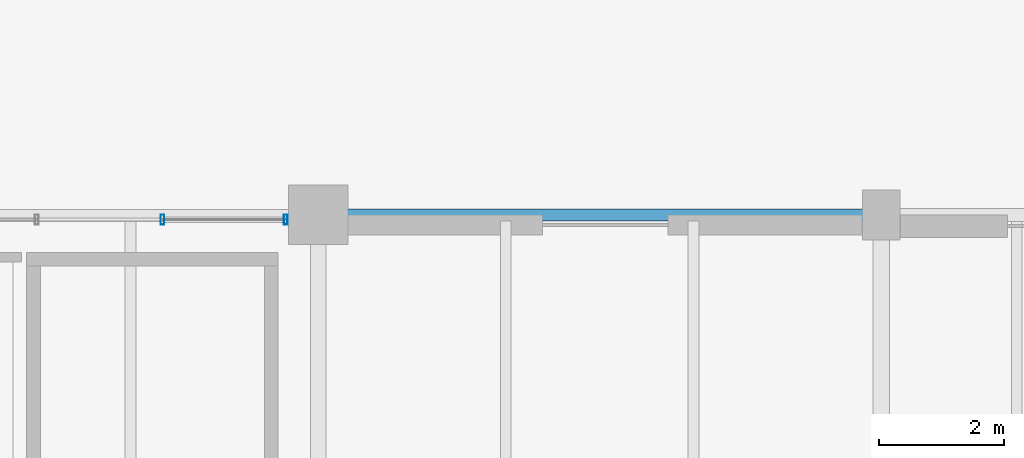
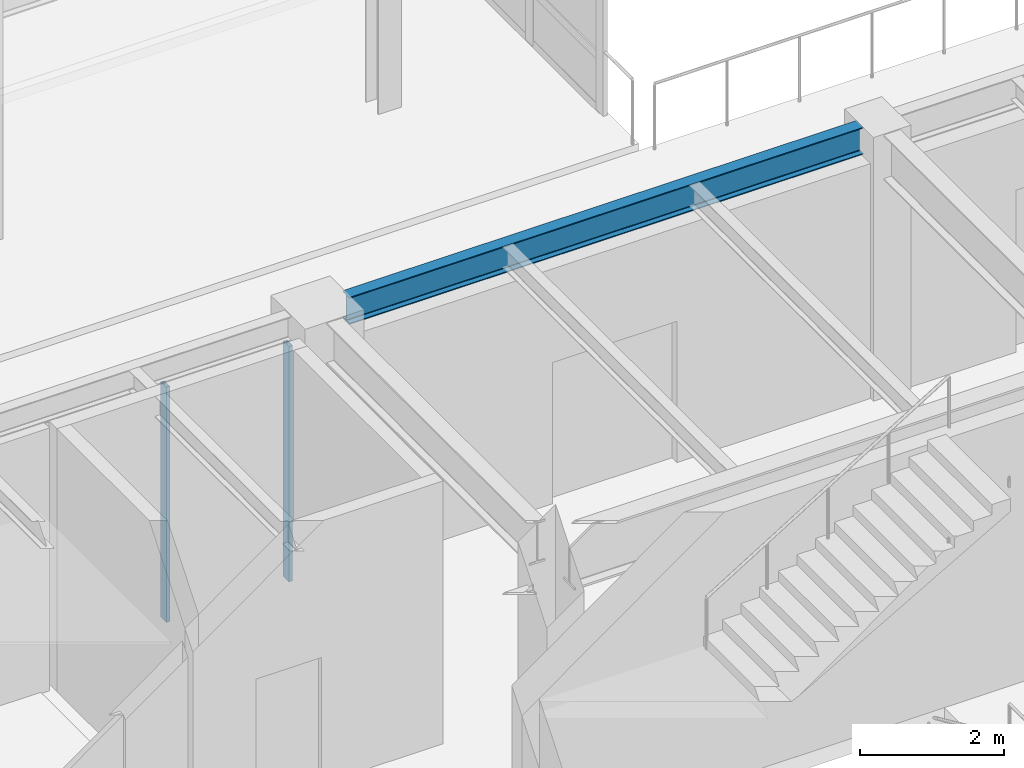
# One storey, part 84 of 200: 2 members, 1 beam, 1 element without a shape of its own.
"""IFC4 building model written with IfcOpenShell, lengths in metres."""

from ifc_helpers import new_model, si_unit, direction, frame, origin, origin_2d, place, context, subcontext, project, spatial, hollow_rectangle, i_section, extrude, material, material_profile, profile_set, type_object, element, aggregate, save


model = new_model("IFC4")

# Units and contexts
model_context = context("Model", 3, precision=1e-05, world=origin(), true_north=direction((0.0, 1.0)))
body_context = subcontext(model_context, "Body", "Model", "MODEL_VIEW")
ifc_project = project(units=[si_unit("LENGTHUNIT", "METRE"), si_unit("AREAUNIT", "SQUARE_METRE"), si_unit("VOLUMEUNIT", "CUBIC_METRE"), si_unit("PLANEANGLEUNIT", "RADIAN"), si_unit("MASSUNIT", "GRAM", prefix="KILO"), si_unit("THERMODYNAMICTEMPERATUREUNIT", "KELVIN"), si_unit("POWERUNIT", "WATT")], contexts=[model_context])

# Site, building, storey
site_placement = place(None, origin())
site = spatial("IfcSite", under=ifc_project, at=site_placement, CompositionType="ELEMENT")
building_placement = place(site_placement, origin())
building = spatial("IfcBuilding", under=site, at=building_placement, Name="Tepalcoro Natatorium and Aquatics Centre", CompositionType="ELEMENT")
storey_placement = place(building_placement, frame((0.0, 0.0, 5.39990234375)))
storey = spatial("IfcBuildingStorey", under=building, at=storey_placement, Name="L01", CompositionType="ELEMENT", Elevation=5.39990234375)

# Curtain wall, members
ifc_material_1 = material(Name="Bronze-Anodised Extruded Aluminium Alloy EN AW-6063 T6", Category="aluminium")
curtain_wall_type = type_object("IfcCurtainWallType", Name="CW_V4_VILLAGE", PredefinedType="USERDEFINED", material=ifc_material_1)
curtain_wall_placement = place(storey_placement, origin())
curtain_wall = element("IfcCurtainWall", 1, at=curtain_wall_placement, inside=storey, type_object=curtain_wall_type, Name="V1 L01 N Unitised Curtain Wall Bay 8", ObjectType="UNITISED STOREFRONT", PredefinedType="USERDEFINED")
ifc_material_profile_1 = material_profile(ifc_material_1, hollow_rectangle(XDim=0.06005859375, YDim=0.159912109375, WallThickness=0.00390625, at=origin_2d()), Name="AL60X160X4")
ifc_profile_set_1 = profile_set([ifc_material_profile_1], Name="Bronze-Anodised Extruded Aluminium Alloy EN AW-6063 T6")
member_type = type_object("IfcMemberType", Name="CW_MUL_60x160", PredefinedType="MULLION", material=ifc_profile_set_1)
member_1_placement = place(storey_placement, frame((113.510009765625, 65.423828125, 0.02001953125), z_axis=(0.0, 0.0, 1.0), x_axis=(1.0, 0.0, 0.0)))
member_1 = element("IfcMember", 2, at=member_1_placement, type_object=member_type, Name="CW_V4_VILLAGE Curtain Wall Mullion", PredefinedType="MULLION", context=body_context, shape_type="SweptSolid", body=[
    extrude(hollow_rectangle(XDim=0.06005859375, YDim=0.159912109375, WallThickness=0.00390625, at=origin_2d()), origin(), (0.0, 0.0, 1.0), 3.9970703125),
])
member_2_placement = place(storey_placement, frame((115.47998046875, 65.423828125, 0.02001953125), z_axis=(0.0, 0.0, 1.0), x_axis=(1.0, 0.0, 0.0)))
member_2 = element("IfcMember", 3, at=member_2_placement, type_object=member_type, Name="CW_V4_VILLAGE Curtain Wall Mullion", PredefinedType="MULLION", context=body_context, shape_type="SweptSolid", body=[
    extrude(hollow_rectangle(XDim=0.06005859375, YDim=0.159912109375, WallThickness=0.00390625, at=origin_2d()), origin(), (0.0, 0.0, 1.0), 3.9970703125),
])
aggregate(curtain_wall, [member_1, member_2])

# Beam
ifc_material_2 = material(Name="Steel ASTM A992 Grade 50 (Fy 345 MPa)", Category="steel")
ifc_material_profile_2 = material_profile(ifc_material_2, i_section(OverallWidth=0.19091796875, OverallDepth=0.4599609375, WebThickness=0.010009765625, FlangeThickness=0.01611328125, FilletRadius=0.013916015625, at=origin_2d()), Name="W18X55")
ifc_profile_set_2 = profile_set([ifc_material_profile_2], Name="Steel ASTM A992 Grade 50 (Fy 345 MPa)")
beam_type = type_object("IfcBeamType", Name="SP_W18x55", PredefinedType="SPANDREL", material=ifc_profile_set_2)
beam_placement = place(storey_placement, frame((116.4599609375, 65.5, 4.235107421875), z_axis=(1.0, 0.0, 0.0), x_axis=(0.0, 1.0, 0.0)))
element("IfcBeam", 4, at=beam_placement, inside=storey, type_object=beam_type, Name="V1 L01 Grid Girder X", PredefinedType="SPANDREL", context=body_context, shape_type="SweptSolid", body=[
    extrude(i_section(OverallWidth=0.19091796875, OverallDepth=0.4599609375, WebThickness=0.010009765625, FlangeThickness=0.01611328125, FilletRadius=0.013916015625, at=origin_2d()), origin(), (0.0, 0.0, 1.0), 8.255126953125),
])

save(model, "model.ifc")
